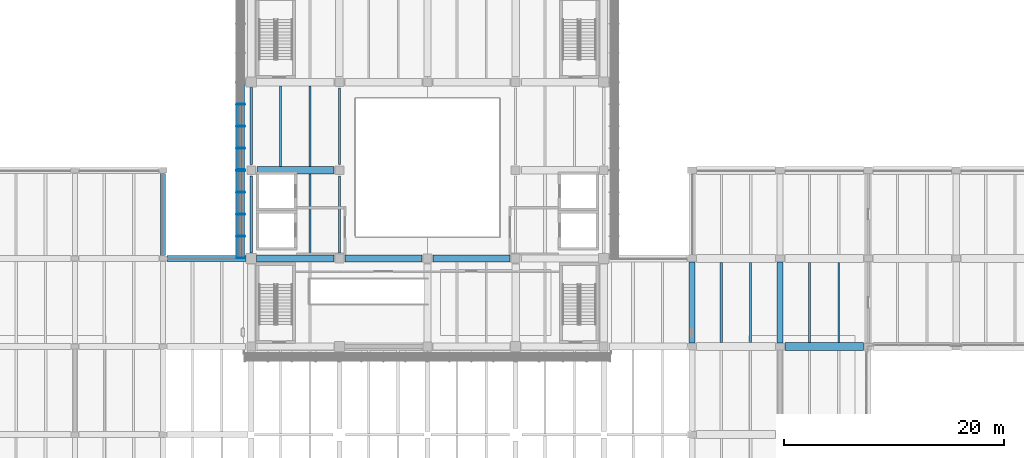
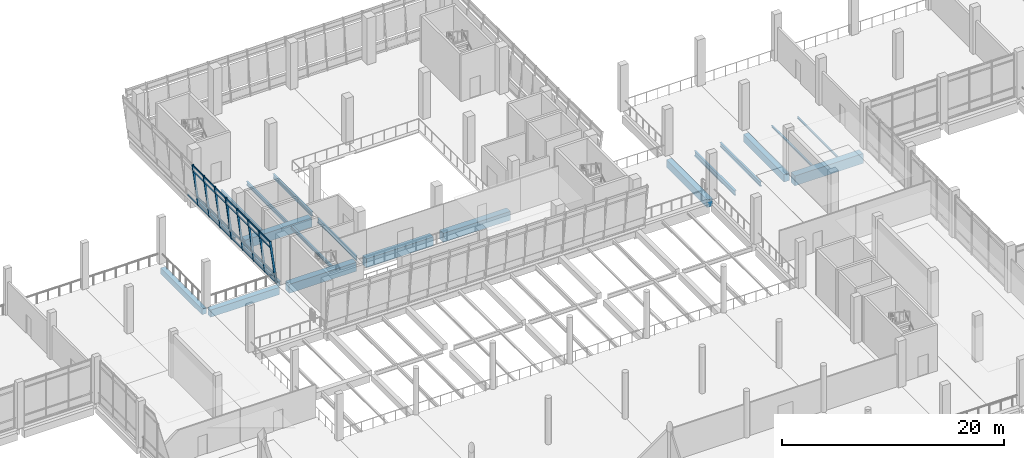
# One storey, part 16 of 61: 38 members, 20 beams, 2 elements without a shape of their own.
"""IFC4 building model written with IfcOpenShell, lengths in metres."""

from ifc_helpers import new_model, si_unit, direction, frame, origin, origin_2d, place, context, subcontext, project, spatial, rectangle, i_section, extrude, material, material_profile, profile_set, type_object, element, aggregate, save


model = new_model("IFC4")

# Units and contexts
model_context = context("Model", 3, precision=1e-05, world=origin(), true_north=direction((0.0, 1.0)))
body_context = subcontext(model_context, "Body", "Model", "MODEL_VIEW")
ifc_project = project(units=[si_unit("LENGTHUNIT", "METRE"), si_unit("AREAUNIT", "SQUARE_METRE"), si_unit("VOLUMEUNIT", "CUBIC_METRE"), si_unit("PLANEANGLEUNIT", "RADIAN"), si_unit("MASSUNIT", "GRAM", prefix="KILO")], contexts=[model_context])

# Site, building, storey
site_placement = place(None, origin())
site = spatial("IfcSite", under=ifc_project, at=site_placement, CompositionType="ELEMENT")
building_placement = place(site_placement, origin())
building = spatial("IfcBuilding", under=site, at=building_placement, Name="Pecanmere Concourse Central Library", CompositionType="ELEMENT")
storey_placement = place(building_placement, frame((0.0, 0.0, 5.39990234375)))
storey = spatial("IfcBuildingStorey", under=building, at=storey_placement, Name="L02", CompositionType="ELEMENT", Elevation=5.39990234375)

# Curtain wall, members
ifc_material_1 = material(Name="Anodized bronze aluminium alloy 6063-T6", Category="aluminium")
curtain_wall_type = type_object("IfcCurtainWallType", Name="CW_LEAN_BANDED", PredefinedType="USERDEFINED", material=ifc_material_1)
curtain_wall_1_placement = place(storey_placement, origin())
curtain_wall_1 = element("IfcCurtainWall", 1, at=curtain_wall_1_placement, inside=storey, type_object=curtain_wall_type, Name="Unitised Curtain Wall CW-01 L02-020", ObjectType="UNITISED CURTAIN WALL", PredefinedType="USERDEFINED")
ifc_material_2 = material(Name="Anodized bronze aluminium alloy 6063-T6", Category="aluminium")
ifc_material_profile_1 = material_profile(ifc_material_2, rectangle(XDim=0.074951171875, YDim=0.199951171875, at=origin_2d()), Name="AL 75x200")
ifc_profile_set_1 = profile_set([ifc_material_profile_1], Name="Anodized bronze aluminium alloy 6063-T6")
member_type_1 = type_object("IfcMemberType", Name="CWM_200x75", PredefinedType="MULLION", material=ifc_profile_set_1)
member_1_placement = place(storey_placement, frame((71.359619140625, 111.99755859375, 0.0), z_axis=(-0.132283601957, 0.0, 0.991211909055), x_axis=(0.0, -1.0, 0.0)))
member_1 = element("IfcMember", 2, at=member_1_placement, type_object=member_type_1, Name="CW-01 Mullion 2", PredefinedType="MULLION", context=body_context, shape_type="SweptSolid", body=[
    extrude(rectangle(XDim=0.074951171875, YDim=0.199951171875, at=origin_2d()), origin(), (0.0, 0.0, 1.0), 4.80224609375),
])
member_2_placement = place(storey_placement, frame((71.359619140625, 110.0, 0.0), z_axis=(-0.132283601957, 0.0, 0.991211909055), x_axis=(0.0, -1.0, 0.0)))
member_2 = element("IfcMember", 3, at=member_2_placement, type_object=member_type_1, Name="CW-01 Mullion 3", PredefinedType="MULLION", context=body_context, shape_type="SweptSolid", body=[
    extrude(rectangle(XDim=0.074951171875, YDim=0.199951171875, at=origin_2d()), origin(), (0.0, 0.0, 1.0), 4.80224609375),
])
member_3_placement = place(storey_placement, frame((71.359619140625, 108.00244140625, 0.0), z_axis=(-0.132283601957, 0.0, 0.991211909055), x_axis=(0.0, -1.0, 0.0)))
member_3 = element("IfcMember", 4, at=member_3_placement, type_object=member_type_1, Name="CW-01 Mullion 4", PredefinedType="MULLION", context=body_context, shape_type="SweptSolid", body=[
    extrude(rectangle(XDim=0.074951171875, YDim=0.199951171875, at=origin_2d()), origin(), (0.0, 0.0, 1.0), 4.80224609375),
])
member_4_placement = place(storey_placement, frame((71.359619140625, 106.04248046875, 0.0), z_axis=(-0.132283601957, 0.0, 0.991211909055), x_axis=(0.0, -1.0, 0.0)))
member_4 = element("IfcMember", 5, at=member_4_placement, type_object=member_type_1, Name="CW-01 Mullion 5", PredefinedType="MULLION", context=body_context, shape_type="SweptSolid", body=[
    extrude(rectangle(XDim=0.074951171875, YDim=0.199951171875, at=origin_2d()), origin(), (0.0, 0.0, 1.0), 4.80224609375),
])

curtain_wall_2_placement = place(storey_placement, origin())
curtain_wall_2 = element("IfcCurtainWall", 6, at=curtain_wall_2_placement, inside=storey, type_object=curtain_wall_type, Name="Unitised Curtain Wall CW-01 L02-021", ObjectType="UNITISED CURTAIN WALL", PredefinedType="USERDEFINED")
member_5_placement = place(storey_placement, frame((71.359619140625, 105.95751953125, 0.0), z_axis=(-0.132283601957, 0.0, 0.991211909055), x_axis=(0.0, -1.0, 0.0)))
member_5 = element("IfcMember", 7, at=member_5_placement, type_object=member_type_1, Name="CW-01 Mullion 1", PredefinedType="MULLION", context=body_context, shape_type="SweptSolid", body=[
    extrude(rectangle(XDim=0.074951171875, YDim=0.199951171875, at=origin_2d()), origin(), (0.0, 0.0, 1.0), 4.80224609375),
])
member_6_placement = place(storey_placement, frame((71.359619140625, 103.99755859375, 0.0), z_axis=(-0.132283601957, 0.0, 0.991211909055), x_axis=(0.0, -1.0, 0.0)))
member_6 = element("IfcMember", 8, at=member_6_placement, type_object=member_type_1, Name="CW-01 Mullion 2", PredefinedType="MULLION", context=body_context, shape_type="SweptSolid", body=[
    extrude(rectangle(XDim=0.074951171875, YDim=0.199951171875, at=origin_2d()), origin(), (0.0, 0.0, 1.0), 4.80224609375),
])
member_7_placement = place(storey_placement, frame((71.359619140625, 102.0, 0.0), z_axis=(-0.132283601957, 0.0, 0.991211909055), x_axis=(0.0, -1.0, 0.0)))
member_7 = element("IfcMember", 9, at=member_7_placement, type_object=member_type_1, Name="CW-01 Mullion 3", PredefinedType="MULLION", context=body_context, shape_type="SweptSolid", body=[
    extrude(rectangle(XDim=0.074951171875, YDim=0.199951171875, at=origin_2d()), origin(), (0.0, 0.0, 1.0), 4.80224609375),
])
member_8_placement = place(storey_placement, frame((71.359619140625, 100.00244140625, 0.0), z_axis=(-0.132283601957, 0.0, 0.991211909055), x_axis=(0.0, -1.0, 0.0)))
member_8 = element("IfcMember", 10, at=member_8_placement, type_object=member_type_1, Name="CW-01 Mullion 4", PredefinedType="MULLION", context=body_context, shape_type="SweptSolid", body=[
    extrude(rectangle(XDim=0.074951171875, YDim=0.199951171875, at=origin_2d()), origin(), (0.0, 0.0, 1.0), 4.80224609375),
])
member_9_placement = place(storey_placement, frame((71.359619140625, 98.04248046875, 0.0), z_axis=(-0.132283601957, 0.0, 0.991211909055), x_axis=(0.0, -1.0, 0.0)))
member_9 = element("IfcMember", 11, at=member_9_placement, type_object=member_type_1, Name="CW-01 Mullion 5", PredefinedType="MULLION", context=body_context, shape_type="SweptSolid", body=[
    extrude(rectangle(XDim=0.074951171875, YDim=0.199951171875, at=origin_2d()), origin(), (0.0, 0.0, 1.0), 4.80224609375),
])

# Member
ifc_material_3 = material(Name="Anodized bronze aluminium alloy 6063-T6", Category="aluminium")
ifc_material_profile_2 = material_profile(ifc_material_3, rectangle(XDim=0.06494140625, YDim=0.179931640625, at=origin_2d()), Name="AL 65x180")
ifc_profile_set_2 = profile_set([ifc_material_profile_2], Name="Anodized bronze aluminium alloy 6063-T6")
member_type_2 = type_object("IfcMemberType", Name="CWT_180x65", PredefinedType="USERDEFINED", material=ifc_profile_set_2)
member_10_placement = place(storey_placement, frame((71.347412109375, 113.919921875, 0.090087890625), z_axis=(0.0, -1.0, 0.0), x_axis=(1.0, 0.0, 0.0)))
member_10 = element("IfcMember", 12, at=member_10_placement, type_object=member_type_2, Name="CW-01 Transom 1.1", ObjectType="TRANSOM", PredefinedType="USERDEFINED", context=body_context, shape_type="SweptSolid", body=[
    extrude(rectangle(XDim=0.06494140625, YDim=0.179931640625, at=origin_2d()), origin(), (0.0, 0.0, 1.0), 1.885009765625),
])

member_11_placement = place(storey_placement, frame((71.347412109375, 111.9599609375, 0.090087890625), z_axis=(0.0, -1.0, 0.0), x_axis=(1.0, 0.0, 0.0)))
member_11 = element("IfcMember", 13, at=member_11_placement, type_object=member_type_2, Name="CW-01 Transom 2.1", ObjectType="TRANSOM", PredefinedType="USERDEFINED", context=body_context, shape_type="SweptSolid", body=[
    extrude(rectangle(XDim=0.06494140625, YDim=0.179931640625, at=origin_2d()), origin(), (0.0, 0.0, 1.0), 1.92236328125),
])

member_12_placement = place(storey_placement, frame((71.219482421875, 111.9599609375, 1.050048828125), z_axis=(0.0, -1.0, 0.0), x_axis=(1.0, 0.0, 0.0)))
member_12 = element("IfcMember", 14, at=member_12_placement, type_object=member_type_2, Name="CW-01 Transom 2.2", ObjectType="TRANSOM", PredefinedType="USERDEFINED", context=body_context, shape_type="SweptSolid", body=[
    extrude(rectangle(XDim=0.06494140625, YDim=0.179931640625, at=origin_2d()), origin(), (0.0, 0.0, 1.0), 1.92236328125),
])

member_13_placement = place(storey_placement, frame((70.824462890625, 111.9599609375, 4.010009765625), z_axis=(0.0, -1.0, 0.0), x_axis=(1.0, 0.0, 0.0)))
member_13 = element("IfcMember", 15, at=member_13_placement, type_object=member_type_2, Name="CW-01 Transom 2.3", ObjectType="TRANSOM", PredefinedType="USERDEFINED", context=body_context, shape_type="SweptSolid", body=[
    extrude(rectangle(XDim=0.06494140625, YDim=0.179931640625, at=origin_2d()), origin(), (0.0, 0.0, 1.0), 1.92236328125),
])

member_14_placement = place(storey_placement, frame((70.736328125, 111.9599609375, 4.670166015625), z_axis=(0.0, -1.0, 0.0), x_axis=(1.0, 0.0, 0.0)))
member_14 = element("IfcMember", 16, at=member_14_placement, type_object=member_type_2, Name="CW-01 Transom 2.4", ObjectType="TRANSOM", PredefinedType="USERDEFINED", context=body_context, shape_type="SweptSolid", body=[
    extrude(rectangle(XDim=0.06494140625, YDim=0.179931640625, at=origin_2d()), origin(), (0.0, 0.0, 1.0), 1.92236328125),
])

member_15_placement = place(storey_placement, frame((71.347412109375, 109.96240234375, 0.090087890625), z_axis=(0.0, -1.0, 0.0), x_axis=(1.0, 0.0, 0.0)))
member_15 = element("IfcMember", 17, at=member_15_placement, type_object=member_type_2, Name="CW-01 Transom 3.1", ObjectType="TRANSOM", PredefinedType="USERDEFINED", context=body_context, shape_type="SweptSolid", body=[
    extrude(rectangle(XDim=0.06494140625, YDim=0.179931640625, at=origin_2d()), origin(), (0.0, 0.0, 1.0), 1.92236328125),
])

member_16_placement = place(storey_placement, frame((71.219482421875, 109.96240234375, 1.050048828125), z_axis=(0.0, -1.0, 0.0), x_axis=(1.0, 0.0, 0.0)))
member_16 = element("IfcMember", 18, at=member_16_placement, type_object=member_type_2, Name="CW-01 Transom 3.2", ObjectType="TRANSOM", PredefinedType="USERDEFINED", context=body_context, shape_type="SweptSolid", body=[
    extrude(rectangle(XDim=0.06494140625, YDim=0.179931640625, at=origin_2d()), origin(), (0.0, 0.0, 1.0), 1.92236328125),
])

member_17_placement = place(storey_placement, frame((70.824462890625, 109.96240234375, 4.010009765625), z_axis=(0.0, -1.0, 0.0), x_axis=(1.0, 0.0, 0.0)))
member_17 = element("IfcMember", 19, at=member_17_placement, type_object=member_type_2, Name="CW-01 Transom 3.3", ObjectType="TRANSOM", PredefinedType="USERDEFINED", context=body_context, shape_type="SweptSolid", body=[
    extrude(rectangle(XDim=0.06494140625, YDim=0.179931640625, at=origin_2d()), origin(), (0.0, 0.0, 1.0), 1.92236328125),
])

member_18_placement = place(storey_placement, frame((70.736328125, 109.96240234375, 4.670166015625), z_axis=(0.0, -1.0, 0.0), x_axis=(1.0, 0.0, 0.0)))
member_18 = element("IfcMember", 20, at=member_18_placement, type_object=member_type_2, Name="CW-01 Transom 3.4", ObjectType="TRANSOM", PredefinedType="USERDEFINED", context=body_context, shape_type="SweptSolid", body=[
    extrude(rectangle(XDim=0.06494140625, YDim=0.179931640625, at=origin_2d()), origin(), (0.0, 0.0, 1.0), 1.92236328125),
])

member_19_placement = place(storey_placement, frame((71.347412109375, 107.965087890625, 0.090087890625), z_axis=(0.0, -1.0, 0.0), x_axis=(1.0, 0.0, 0.0)))
member_19 = element("IfcMember", 21, at=member_19_placement, type_object=member_type_2, Name="CW-01 Transom 4.1", ObjectType="TRANSOM", PredefinedType="USERDEFINED", context=body_context, shape_type="SweptSolid", body=[
    extrude(rectangle(XDim=0.06494140625, YDim=0.179931640625, at=origin_2d()), origin(), (0.0, 0.0, 1.0), 1.885009765625),
])

member_20_placement = place(storey_placement, frame((71.219482421875, 107.965087890625, 1.050048828125), z_axis=(0.0, -1.0, 0.0), x_axis=(1.0, 0.0, 0.0)))
member_20 = element("IfcMember", 22, at=member_20_placement, type_object=member_type_2, Name="CW-01 Transom 4.2", ObjectType="TRANSOM", PredefinedType="USERDEFINED", context=body_context, shape_type="SweptSolid", body=[
    extrude(rectangle(XDim=0.06494140625, YDim=0.179931640625, at=origin_2d()), origin(), (0.0, 0.0, 1.0), 1.885009765625),
])

member_21_placement = place(storey_placement, frame((70.824462890625, 107.965087890625, 4.010009765625), z_axis=(0.0, -1.0, 0.0), x_axis=(1.0, 0.0, 0.0)))
member_21 = element("IfcMember", 23, at=member_21_placement, type_object=member_type_2, Name="CW-01 Transom 4.3", ObjectType="TRANSOM", PredefinedType="USERDEFINED", context=body_context, shape_type="SweptSolid", body=[
    extrude(rectangle(XDim=0.06494140625, YDim=0.179931640625, at=origin_2d()), origin(), (0.0, 0.0, 1.0), 1.885009765625),
])

member_22_placement = place(storey_placement, frame((70.736328125, 107.965087890625, 4.670166015625), z_axis=(0.0, -1.0, 0.0), x_axis=(1.0, 0.0, 0.0)))
member_22 = element("IfcMember", 24, at=member_22_placement, type_object=member_type_2, Name="CW-01 Transom 4.4", ObjectType="TRANSOM", PredefinedType="USERDEFINED", context=body_context, shape_type="SweptSolid", body=[
    extrude(rectangle(XDim=0.06494140625, YDim=0.179931640625, at=origin_2d()), origin(), (0.0, 0.0, 1.0), 1.885009765625),
])

aggregate(curtain_wall_1, [member_1, member_2, member_3, member_4, member_10, member_11, member_12, member_13, member_14, member_15, member_16, member_17, member_18, member_19, member_20, member_21, member_22])

member_23_placement = place(storey_placement, frame((71.347412109375, 105.919921875, 0.090087890625), z_axis=(0.0, -1.0, 0.0), x_axis=(1.0, 0.0, 0.0)))
member_23 = element("IfcMember", 25, at=member_23_placement, type_object=member_type_2, Name="CW-01 Transom 1.1", ObjectType="TRANSOM", PredefinedType="USERDEFINED", context=body_context, shape_type="SweptSolid", body=[
    extrude(rectangle(XDim=0.06494140625, YDim=0.179931640625, at=origin_2d()), origin(), (0.0, 0.0, 1.0), 1.885009765625),
])

member_24_placement = place(storey_placement, frame((71.219482421875, 105.919921875, 1.050048828125), z_axis=(0.0, -1.0, 0.0), x_axis=(1.0, 0.0, 0.0)))
member_24 = element("IfcMember", 26, at=member_24_placement, type_object=member_type_2, Name="CW-01 Transom 1.2", ObjectType="TRANSOM", PredefinedType="USERDEFINED", context=body_context, shape_type="SweptSolid", body=[
    extrude(rectangle(XDim=0.06494140625, YDim=0.179931640625, at=origin_2d()), origin(), (0.0, 0.0, 1.0), 1.885009765625),
])

member_25_placement = place(storey_placement, frame((70.824462890625, 105.919921875, 4.010009765625), z_axis=(0.0, -1.0, 0.0), x_axis=(1.0, 0.0, 0.0)))
member_25 = element("IfcMember", 27, at=member_25_placement, type_object=member_type_2, Name="CW-01 Transom 1.3", ObjectType="TRANSOM", PredefinedType="USERDEFINED", context=body_context, shape_type="SweptSolid", body=[
    extrude(rectangle(XDim=0.06494140625, YDim=0.179931640625, at=origin_2d()), origin(), (0.0, 0.0, 1.0), 1.885009765625),
])

member_26_placement = place(storey_placement, frame((70.736328125, 105.919921875, 4.670166015625), z_axis=(0.0, -1.0, 0.0), x_axis=(1.0, 0.0, 0.0)))
member_26 = element("IfcMember", 28, at=member_26_placement, type_object=member_type_2, Name="CW-01 Transom 1.4", ObjectType="TRANSOM", PredefinedType="USERDEFINED", context=body_context, shape_type="SweptSolid", body=[
    extrude(rectangle(XDim=0.06494140625, YDim=0.179931640625, at=origin_2d()), origin(), (0.0, 0.0, 1.0), 1.885009765625),
])

member_27_placement = place(storey_placement, frame((71.347412109375, 103.9599609375, 0.090087890625), z_axis=(0.0, -1.0, 0.0), x_axis=(1.0, 0.0, 0.0)))
member_27 = element("IfcMember", 29, at=member_27_placement, type_object=member_type_2, Name="CW-01 Transom 2.1", ObjectType="TRANSOM", PredefinedType="USERDEFINED", context=body_context, shape_type="SweptSolid", body=[
    extrude(rectangle(XDim=0.06494140625, YDim=0.179931640625, at=origin_2d()), origin(), (0.0, 0.0, 1.0), 1.92236328125),
])

member_28_placement = place(storey_placement, frame((71.219482421875, 103.9599609375, 1.050048828125), z_axis=(0.0, -1.0, 0.0), x_axis=(1.0, 0.0, 0.0)))
member_28 = element("IfcMember", 30, at=member_28_placement, type_object=member_type_2, Name="CW-01 Transom 2.2", ObjectType="TRANSOM", PredefinedType="USERDEFINED", context=body_context, shape_type="SweptSolid", body=[
    extrude(rectangle(XDim=0.06494140625, YDim=0.179931640625, at=origin_2d()), origin(), (0.0, 0.0, 1.0), 1.92236328125),
])

member_29_placement = place(storey_placement, frame((70.824462890625, 103.9599609375, 4.010009765625), z_axis=(0.0, -1.0, 0.0), x_axis=(1.0, 0.0, 0.0)))
member_29 = element("IfcMember", 31, at=member_29_placement, type_object=member_type_2, Name="CW-01 Transom 2.3", ObjectType="TRANSOM", PredefinedType="USERDEFINED", context=body_context, shape_type="SweptSolid", body=[
    extrude(rectangle(XDim=0.06494140625, YDim=0.179931640625, at=origin_2d()), origin(), (0.0, 0.0, 1.0), 1.92236328125),
])

member_30_placement = place(storey_placement, frame((70.736328125, 103.9599609375, 4.670166015625), z_axis=(0.0, -1.0, 0.0), x_axis=(1.0, 0.0, 0.0)))
member_30 = element("IfcMember", 32, at=member_30_placement, type_object=member_type_2, Name="CW-01 Transom 2.4", ObjectType="TRANSOM", PredefinedType="USERDEFINED", context=body_context, shape_type="SweptSolid", body=[
    extrude(rectangle(XDim=0.06494140625, YDim=0.179931640625, at=origin_2d()), origin(), (0.0, 0.0, 1.0), 1.92236328125),
])

member_31_placement = place(storey_placement, frame((71.347412109375, 101.96240234375, 0.090087890625), z_axis=(0.0, -1.0, 0.0), x_axis=(1.0, 0.0, 0.0)))
member_31 = element("IfcMember", 33, at=member_31_placement, type_object=member_type_2, Name="CW-01 Transom 3.1", ObjectType="TRANSOM", PredefinedType="USERDEFINED", context=body_context, shape_type="SweptSolid", body=[
    extrude(rectangle(XDim=0.06494140625, YDim=0.179931640625, at=origin_2d()), origin(), (0.0, 0.0, 1.0), 1.92236328125),
])

member_32_placement = place(storey_placement, frame((71.219482421875, 101.96240234375, 1.050048828125), z_axis=(0.0, -1.0, 0.0), x_axis=(1.0, 0.0, 0.0)))
member_32 = element("IfcMember", 34, at=member_32_placement, type_object=member_type_2, Name="CW-01 Transom 3.2", ObjectType="TRANSOM", PredefinedType="USERDEFINED", context=body_context, shape_type="SweptSolid", body=[
    extrude(rectangle(XDim=0.06494140625, YDim=0.179931640625, at=origin_2d()), origin(), (0.0, 0.0, 1.0), 1.92236328125),
])

member_33_placement = place(storey_placement, frame((70.824462890625, 101.96240234375, 4.010009765625), z_axis=(0.0, -1.0, 0.0), x_axis=(1.0, 0.0, 0.0)))
member_33 = element("IfcMember", 35, at=member_33_placement, type_object=member_type_2, Name="CW-01 Transom 3.3", ObjectType="TRANSOM", PredefinedType="USERDEFINED", context=body_context, shape_type="SweptSolid", body=[
    extrude(rectangle(XDim=0.06494140625, YDim=0.179931640625, at=origin_2d()), origin(), (0.0, 0.0, 1.0), 1.92236328125),
])

member_34_placement = place(storey_placement, frame((70.736328125, 101.96240234375, 4.670166015625), z_axis=(0.0, -1.0, 0.0), x_axis=(1.0, 0.0, 0.0)))
member_34 = element("IfcMember", 36, at=member_34_placement, type_object=member_type_2, Name="CW-01 Transom 3.4", ObjectType="TRANSOM", PredefinedType="USERDEFINED", context=body_context, shape_type="SweptSolid", body=[
    extrude(rectangle(XDim=0.06494140625, YDim=0.179931640625, at=origin_2d()), origin(), (0.0, 0.0, 1.0), 1.92236328125),
])

member_35_placement = place(storey_placement, frame((71.347412109375, 99.965087890625, 0.090087890625), z_axis=(0.0, -1.0, 0.0), x_axis=(1.0, 0.0, 0.0)))
member_35 = element("IfcMember", 37, at=member_35_placement, type_object=member_type_2, Name="CW-01 Transom 4.1", ObjectType="TRANSOM", PredefinedType="USERDEFINED", context=body_context, shape_type="SweptSolid", body=[
    extrude(rectangle(XDim=0.06494140625, YDim=0.179931640625, at=origin_2d()), origin(), (0.0, 0.0, 1.0), 1.885009765625),
])

member_36_placement = place(storey_placement, frame((71.219482421875, 99.965087890625, 1.050048828125), z_axis=(0.0, -1.0, 0.0), x_axis=(1.0, 0.0, 0.0)))
member_36 = element("IfcMember", 38, at=member_36_placement, type_object=member_type_2, Name="CW-01 Transom 4.2", ObjectType="TRANSOM", PredefinedType="USERDEFINED", context=body_context, shape_type="SweptSolid", body=[
    extrude(rectangle(XDim=0.06494140625, YDim=0.179931640625, at=origin_2d()), origin(), (0.0, 0.0, 1.0), 1.885009765625),
])

member_37_placement = place(storey_placement, frame((70.824462890625, 99.965087890625, 4.010009765625), z_axis=(0.0, -1.0, 0.0), x_axis=(1.0, 0.0, 0.0)))
member_37 = element("IfcMember", 39, at=member_37_placement, type_object=member_type_2, Name="CW-01 Transom 4.3", ObjectType="TRANSOM", PredefinedType="USERDEFINED", context=body_context, shape_type="SweptSolid", body=[
    extrude(rectangle(XDim=0.06494140625, YDim=0.179931640625, at=origin_2d()), origin(), (0.0, 0.0, 1.0), 1.885009765625),
])

member_38_placement = place(storey_placement, frame((70.736328125, 99.965087890625, 4.670166015625), z_axis=(0.0, -1.0, 0.0), x_axis=(1.0, 0.0, 0.0)))
member_38 = element("IfcMember", 40, at=member_38_placement, type_object=member_type_2, Name="CW-01 Transom 4.4", ObjectType="TRANSOM", PredefinedType="USERDEFINED", context=body_context, shape_type="SweptSolid", body=[
    extrude(rectangle(XDim=0.06494140625, YDim=0.179931640625, at=origin_2d()), origin(), (0.0, 0.0, 1.0), 1.885009765625),
])

aggregate(curtain_wall_2, [member_5, member_6, member_7, member_8, member_9, member_23, member_24, member_25, member_26, member_27, member_28, member_29, member_30, member_31, member_32, member_33, member_34, member_35, member_36, member_37, member_38])

# Beams
ifc_material_4 = material(Name="Concrete C40/50", Category="concrete")
ifc_material_profile_3 = material_profile(ifc_material_4, rectangle(XDim=0.4599609375, YDim=0.64990234375, at=origin_2d()), Name="RC 460x650")
ifc_profile_set_3 = profile_set([ifc_material_profile_3], Name="Concrete C40/50")
beam_type_1 = type_object("IfcBeamType", Name="GRD_460x650", PredefinedType="USERDEFINED", material=ifc_profile_set_3)
beam_1_placement = place(storey_placement, frame((64.0, 98.27001953125, -0.69482421875), z_axis=(0.0, 1.0, 0.0), x_axis=(-1.0, 0.0, 0.0)))
element("IfcBeam", 41, at=beam_1_placement, inside=storey, type_object=beam_type_1, Name="Primary Girder Y L02-1030", ObjectType="GIRDER", PredefinedType="USERDEFINED", context=body_context, shape_type="SweptSolid", body=[
    extrude(rectangle(XDim=0.4599609375, YDim=0.64990234375, at=origin_2d()), origin(), (0.0, 0.0, 1.0), 7.4599609375),
])
ifc_material_5 = material(Name="Concrete C40/50", Category="concrete")
ifc_material_profile_4 = material_profile(ifc_material_5, rectangle(XDim=0.5400390625, YDim=0.800048828125, at=origin_2d()), Name="RC 540x800")
ifc_profile_set_4 = profile_set([ifc_material_profile_4], Name="Concrete C40/50")
beam_type_2 = type_object("IfcBeamType", Name="GRD_540x800", PredefinedType="USERDEFINED", material=ifc_profile_set_4)
beam_2_placement = place(storey_placement, frame((64.3701171875, 98.0, -0.77001953125), z_axis=(1.0, 0.0, 0.0), x_axis=(0.0, 1.0, 0.0)))
element("IfcBeam", 42, at=beam_2_placement, inside=storey, type_object=beam_type_2, Name="Primary Girder X L02-0930", ObjectType="GIRDER", PredefinedType="USERDEFINED", context=body_context, shape_type="SweptSolid", body=[
    extrude(rectangle(XDim=0.5400390625, YDim=0.800048828125, at=origin_2d()), origin(), (0.0, 0.0, 1.0), 7.139892578125),
])
ifc_material_6 = material(Name="Concrete C40/50", Category="concrete")
ifc_material_profile_5 = material_profile(ifc_material_6, rectangle(XDim=0.56005859375, YDim=0.830078125, at=origin_2d()), Name="RC 560x830")
ifc_profile_set_5 = profile_set([ifc_material_profile_5], Name="Concrete C40/50")
beam_type_3 = type_object("IfcBeamType", Name="GRD_560x830", PredefinedType="USERDEFINED", material=ifc_profile_set_5)
for number, where, z_axis, x_axis, name in (
    (43, (112.0, 90.330078125, -0.784912109375), (0.0, 1.0, 0.0), (-1.0, 0.0, 0.0), "Primary Girder Y L02-1094"),
    (44, (120.0, 90.330078125, -0.784912109375), (0.0, 1.0, 0.0), (-1.0, 0.0, 0.0), "Primary Girder Y L02-1104"),
):
    element("IfcBeam", number, at=place(storey_placement, frame(where, z_axis=z_axis, x_axis=x_axis)), inside=storey, type_object=beam_type_3, Name=name, ObjectType="GIRDER", PredefinedType="USERDEFINED", context=body_context, shape_type="SweptSolid", body=[
        extrude(rectangle(XDim=0.56005859375, YDim=0.830078125, at=origin_2d()), origin(), (0.0, 0.0, 1.0), 7.33984375),
    ])
ifc_material_7 = material(Name="Concrete C40/50", Category="concrete")
ifc_material_profile_6 = material_profile(ifc_material_7, rectangle(XDim=0.659912109375, YDim=0.97998046875, at=origin_2d()), Name="RC 660x980")
ifc_profile_set_6 = profile_set([ifc_material_profile_6], Name="Concrete C40/50")
beam_type_4 = type_object("IfcBeamType", Name="GRD_660x980", PredefinedType="USERDEFINED", material=ifc_profile_set_6)
beam_3_placement = place(storey_placement, frame((72.489990234375, 98.0, -0.85986328125), z_axis=(1.0, 0.0, 0.0), x_axis=(0.0, 1.0, 0.0)))
element("IfcBeam", 45, at=beam_3_placement, inside=storey, type_object=beam_type_4, Name="Primary Girder X L02-0931", ObjectType="GIRDER", PredefinedType="USERDEFINED", context=body_context, shape_type="SweptSolid", body=[
    extrude(rectangle(XDim=0.659912109375, YDim=0.97998046875, at=origin_2d()), origin(), (0.0, 0.0, 1.0), 7.0),
])
for number, where, z_axis, x_axis, name in (
    (46, (80.510009765625, 98.0, -0.85986328125), (1.0, 0.0, 0.0), (0.0, 1.0, 0.0), "Primary Girder X L02-0932"),
    (47, (88.510009765625, 98.0, -0.85986328125), (1.0, 0.0, 0.0), (0.0, 1.0, 0.0), "Primary Girder X L02-0933"),
    (48, (72.510009765625, 106.0, -0.85986328125), (1.0, 0.0, 0.0), (0.0, 1.0, 0.0), "Primary Girder X L02-0946"),
):
    element("IfcBeam", number, at=place(storey_placement, frame(where, z_axis=z_axis, x_axis=x_axis)), inside=storey, type_object=beam_type_4, Name=name, ObjectType="GIRDER", PredefinedType="USERDEFINED", context=body_context, shape_type="SweptSolid", body=[
        extrude(rectangle(XDim=0.659912109375, YDim=0.97998046875, at=origin_2d()), origin(), (0.0, 0.0, 1.0), 6.97998046875),
    ])
ifc_material_8 = material(Name="Concrete C40/50", Category="concrete")
ifc_material_profile_7 = material_profile(ifc_material_8, rectangle(XDim=0.719970703125, YDim=1.080078125, at=origin_2d()), Name="RC 720x1080")
ifc_profile_set_7 = profile_set([ifc_material_profile_7], Name="Concrete C40/50")
beam_type_5 = type_object("IfcBeamType", Name="GRD_720x1080", PredefinedType="USERDEFINED", material=ifc_profile_set_7)
beam_4_placement = place(storey_placement, frame((120.429931640625, 90.0, -0.909912109375), z_axis=(1.0, 0.0, 0.0), x_axis=(0.0, 1.0, 0.0)))
element("IfcBeam", 49, at=beam_4_placement, inside=storey, type_object=beam_type_5, Name="Primary Girder X L02-0921", ObjectType="GIRDER", PredefinedType="USERDEFINED", context=body_context, shape_type="SweptSolid", body=[
    extrude(rectangle(XDim=0.719970703125, YDim=1.080078125, at=origin_2d()), origin(), (0.0, 0.0, 1.0), 7.14013671875),
])
ifc_material_9 = material(Name="Structural steel ASTM A992 Grade 50", Category="steel")
ifc_material_profile_8 = material_profile(ifc_material_9, i_section(OverallWidth=0.152099609375, OverallDepth=0.152099609375, WebThickness=0.005859375, FlangeThickness=0.006591796875, at=origin_2d()), Name="W150x22.5")
ifc_profile_set_8 = profile_set([ifc_material_profile_8], Name="Structural steel ASTM A992 Grade 50")
beam_type_6 = type_object("IfcBeamType", Name="SBM_W150x22", PredefinedType="LINTEL", material=ifc_profile_set_8)
beam_5_placement = place(storey_placement, frame((125.333251953125, 90.360107421875, -0.44580078125), z_axis=(0.0, 1.0, 0.0), x_axis=(-1.0, 0.0, 0.0)))
element("IfcBeam", 50, at=beam_5_placement, inside=storey, type_object=beam_type_6, Name="Secondary Floor Joist L02-1392", PredefinedType="LINTEL", context=body_context, shape_type="SweptSolid", body=[
    extrude(i_section(OverallWidth=0.152099609375, OverallDepth=0.152099609375, WebThickness=0.005859375, FlangeThickness=0.006591796875, at=origin_2d()), origin(), (0.0, 0.0, 1.0), 7.27978515625),
])
ifc_material_10 = material(Name="Structural steel ASTM A992 Grade 50", Category="steel")
ifc_material_profile_9 = material_profile(ifc_material_10, i_section(OverallWidth=0.1650390625, OverallDepth=0.200927734375, WebThickness=0.006103515625, FlangeThickness=0.01025390625, at=origin_2d()), Name="W200x35.9")
ifc_profile_set_9 = profile_set([ifc_material_profile_9], Name="Structural steel ASTM A992 Grade 50")
beam_type_7 = type_object("IfcBeamType", Name="SBM_W200x36", PredefinedType="LINTEL", material=ifc_profile_set_9)
beam_6_placement = place(storey_placement, frame((122.666748046875, 90.360107421875, -0.470458984375), z_axis=(0.0, 1.0, 0.0), x_axis=(-1.0, 0.0, 0.0)))
element("IfcBeam", 51, at=beam_6_placement, inside=storey, type_object=beam_type_7, Name="Secondary Floor Joist L02-1391", PredefinedType="LINTEL", context=body_context, shape_type="SweptSolid", body=[
    extrude(i_section(OverallWidth=0.1650390625, OverallDepth=0.200927734375, WebThickness=0.006103515625, FlangeThickness=0.01025390625, at=origin_2d()), origin(), (0.0, 0.0, 1.0), 7.27978515625),
])
ifc_material_11 = material(Name="Structural steel ASTM A992 Grade 50", Category="steel")
ifc_material_profile_10 = material_profile(ifc_material_11, i_section(OverallWidth=0.202880859375, OverallDepth=0.346923828125, WebThickness=0.0078125, FlangeThickness=0.013427734375, at=origin_2d()), Name="W360x64")
ifc_profile_set_10 = profile_set([ifc_material_profile_10], Name="Structural steel ASTM A992 Grade 50")
beam_type_8 = type_object("IfcBeamType", Name="SBM_W360x64", PredefinedType="JOIST", material=ifc_profile_set_10)
beam_7_placement = place(storey_placement, frame((77.333251953125, 98.330078125, -0.54345703125), z_axis=(0.0, 1.0, 0.0), x_axis=(-1.0, 0.0, 0.0)))
element("IfcBeam", 52, at=beam_7_placement, inside=storey, type_object=beam_type_8, Name="Secondary Floor Joist L02-1287", PredefinedType="JOIST", context=body_context, shape_type="SweptSolid", body=[
    extrude(i_section(OverallWidth=0.202880859375, OverallDepth=0.346923828125, WebThickness=0.0078125, FlangeThickness=0.013427734375, at=origin_2d()), origin(), (0.0, 0.0, 1.0), 7.33984375),
])
ifc_material_12 = material(Name="Structural steel ASTM A992 Grade 50", Category="steel")
ifc_material_profile_11 = material_profile(ifc_material_12, i_section(OverallWidth=0.180908203125, OverallDepth=0.4169921875, WebThickness=0.010986328125, FlangeThickness=0.018310546875, at=origin_2d()), Name="W410x85")
ifc_profile_set_11 = profile_set([ifc_material_profile_11], Name="Structural steel ASTM A992 Grade 50")
beam_type_9 = type_object("IfcBeamType", Name="SBM_W410x85", PredefinedType="BEAM", material=ifc_profile_set_11)
beam_8_placement = place(storey_placement, frame((77.333251953125, 106.330078125, -0.578369140625), z_axis=(0.0, 1.0, 0.0), x_axis=(-1.0, 0.0, 0.0)))
element("IfcBeam", 53, at=beam_8_placement, inside=storey, type_object=beam_type_9, Name="Secondary Floor Joist L02-1289", PredefinedType="BEAM", context=body_context, shape_type="SweptSolid", body=[
    extrude(i_section(OverallWidth=0.180908203125, OverallDepth=0.4169921875, WebThickness=0.010986328125, FlangeThickness=0.018310546875, at=origin_2d()), origin(), (0.0, 0.0, 1.0), 7.33984375),
])
ifc_material_13 = material(Name="Structural steel ASTM A992 Grade 50", Category="steel")
ifc_material_profile_12 = material_profile(ifc_material_13, i_section(OverallWidth=0.194091796875, OverallDepth=0.468994140625, WebThickness=0.0126953125, FlangeThickness=0.0205078125, at=origin_2d()), Name="W460x106")
ifc_profile_set_12 = profile_set([ifc_material_profile_12], Name="Structural steel ASTM A992 Grade 50")
beam_type_10 = type_object("IfcBeamType", Name="SBM_W460x106", PredefinedType="USERDEFINED", material=ifc_profile_set_12)
for number, where, z_axis, x_axis, name in (
    (54, (72.0, 98.489990234375, -0.6044921875), (0.0, 1.0, 0.0), (-1.0, 0.0, 0.0), "Primary Girder Y L02-1039"),
    (55, (72.0, 106.510009765625, -0.6044921875), (0.0, 1.0, 0.0), (-1.0, 0.0, 0.0), "Primary Girder Y L02-1040"),
):
    element("IfcBeam", number, at=place(storey_placement, frame(where, z_axis=z_axis, x_axis=x_axis)), inside=storey, type_object=beam_type_10, Name=name, ObjectType="GIRDER", PredefinedType="USERDEFINED", context=body_context, shape_type="SweptSolid", body=[
        extrude(i_section(OverallWidth=0.194091796875, OverallDepth=0.468994140625, WebThickness=0.0126953125, FlangeThickness=0.0205078125, at=origin_2d()), origin(), (0.0, 0.0, 1.0), 7.0),
    ])
for number, where, z_axis, x_axis, name in (
    (56, (80.0, 98.510009765625, -0.6044921875), (0.0, 1.0, 0.0), (-1.0, 0.0, 0.0), "Primary Girder Y L02-1050"),
    (57, (80.0, 106.510009765625, -0.6044921875), (0.0, 1.0, 0.0), (-1.0, 0.0, 0.0), "Primary Girder Y L02-1051"),
):
    element("IfcBeam", number, at=place(storey_placement, frame(where, z_axis=z_axis, x_axis=x_axis)), inside=storey, type_object=beam_type_10, Name=name, ObjectType="GIRDER", PredefinedType="USERDEFINED", context=body_context, shape_type="SweptSolid", body=[
        extrude(i_section(OverallWidth=0.194091796875, OverallDepth=0.468994140625, WebThickness=0.0126953125, FlangeThickness=0.0205078125, at=origin_2d()), origin(), (0.0, 0.0, 1.0), 6.97998046875),
    ])
beam_9_placement = place(storey_placement, frame((117.333251953125, 90.360107421875, -0.6044921875), z_axis=(0.0, 1.0, 0.0), x_axis=(-1.0, 0.0, 0.0)))
element("IfcBeam", 58, at=beam_9_placement, inside=storey, type_object=beam_type_10, Name="Secondary Floor Joist L02-1378", ObjectType="GIRDER", PredefinedType="USERDEFINED", context=body_context, shape_type="SweptSolid", body=[
    extrude(i_section(OverallWidth=0.194091796875, OverallDepth=0.468994140625, WebThickness=0.0126953125, FlangeThickness=0.0205078125, at=origin_2d()), origin(), (0.0, 0.0, 1.0), 7.27978515625),
])
ifc_material_14 = material(Name="Structural steel ASTM A992 Grade 50", Category="steel")
ifc_material_profile_13 = material_profile(ifc_material_14, i_section(OverallWidth=0.18994140625, OverallDepth=0.45703125, WebThickness=0.009033203125, FlangeThickness=0.014404296875, at=origin_2d()), Name="W460x74")
ifc_profile_set_13 = profile_set([ifc_material_profile_13], Name="Structural steel ASTM A992 Grade 50")
beam_type_11 = type_object("IfcBeamType", Name="SBM_W460x74", PredefinedType="BEAM", material=ifc_profile_set_13)
beam_10_placement = place(storey_placement, frame((74.666748046875, 106.330078125, -0.598388671875), z_axis=(0.0, 1.0, 0.0), x_axis=(-1.0, 0.0, 0.0)))
element("IfcBeam", 59, at=beam_10_placement, inside=storey, type_object=beam_type_11, Name="Secondary Floor Joist L02-1288", PredefinedType="BEAM", context=body_context, shape_type="SweptSolid", body=[
    extrude(i_section(OverallWidth=0.18994140625, OverallDepth=0.45703125, WebThickness=0.009033203125, FlangeThickness=0.014404296875, at=origin_2d()), origin(), (0.0, 0.0, 1.0), 7.33984375),
])
ifc_material_15 = material(Name="Structural steel ASTM A992 Grade 50", Category="steel")
ifc_material_profile_14 = material_profile(ifc_material_15, i_section(OverallWidth=0.208984375, OverallDepth=0.532958984375, WebThickness=0.01025390625, FlangeThickness=0.015625, at=origin_2d()), Name="W530x92")
ifc_profile_set_14 = profile_set([ifc_material_profile_14], Name="Structural steel ASTM A992 Grade 50")
beam_type_12 = type_object("IfcBeamType", Name="SBM_W530x92", PredefinedType="BEAM", material=ifc_profile_set_14)
beam_11_placement = place(storey_placement, frame((114.666748046875, 90.360107421875, -0.636474609375), z_axis=(0.0, 1.0, 0.0), x_axis=(-1.0, 0.0, 0.0)))
element("IfcBeam", 60, at=beam_11_placement, inside=storey, type_object=beam_type_12, Name="Secondary Floor Joist L02-1377", PredefinedType="BEAM", context=body_context, shape_type="SweptSolid", body=[
    extrude(i_section(OverallWidth=0.208984375, OverallDepth=0.532958984375, WebThickness=0.01025390625, FlangeThickness=0.015625, at=origin_2d()), origin(), (0.0, 0.0, 1.0), 7.27978515625),
])

save(model, "model.ifc")
